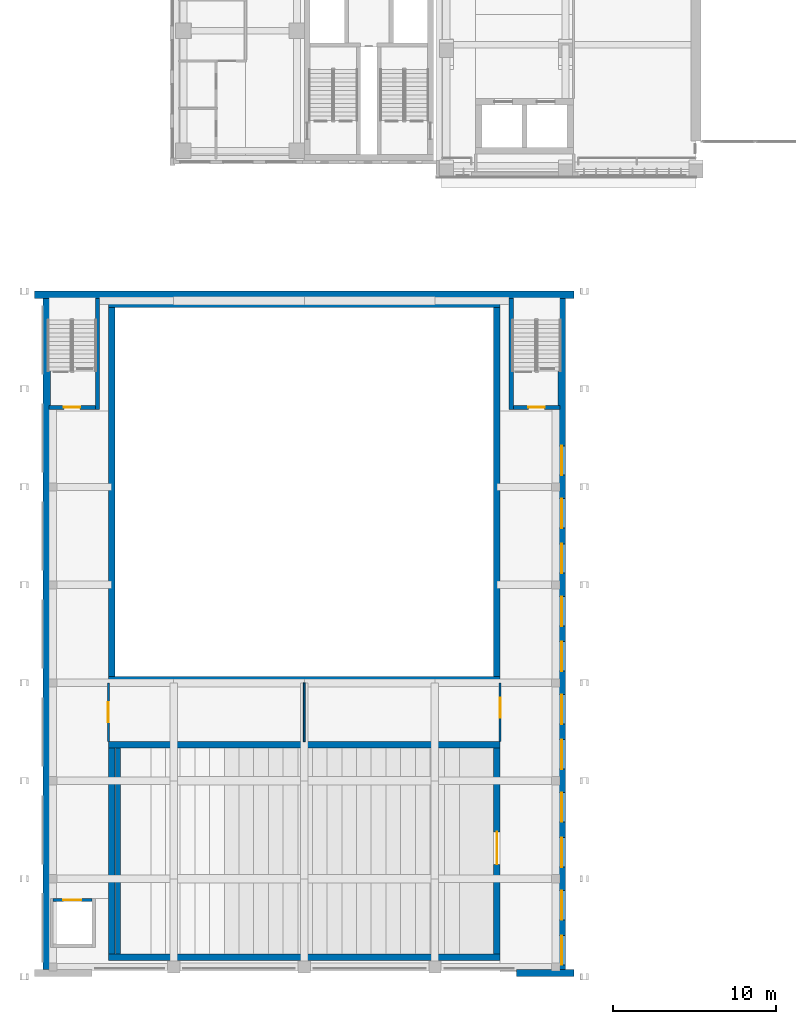
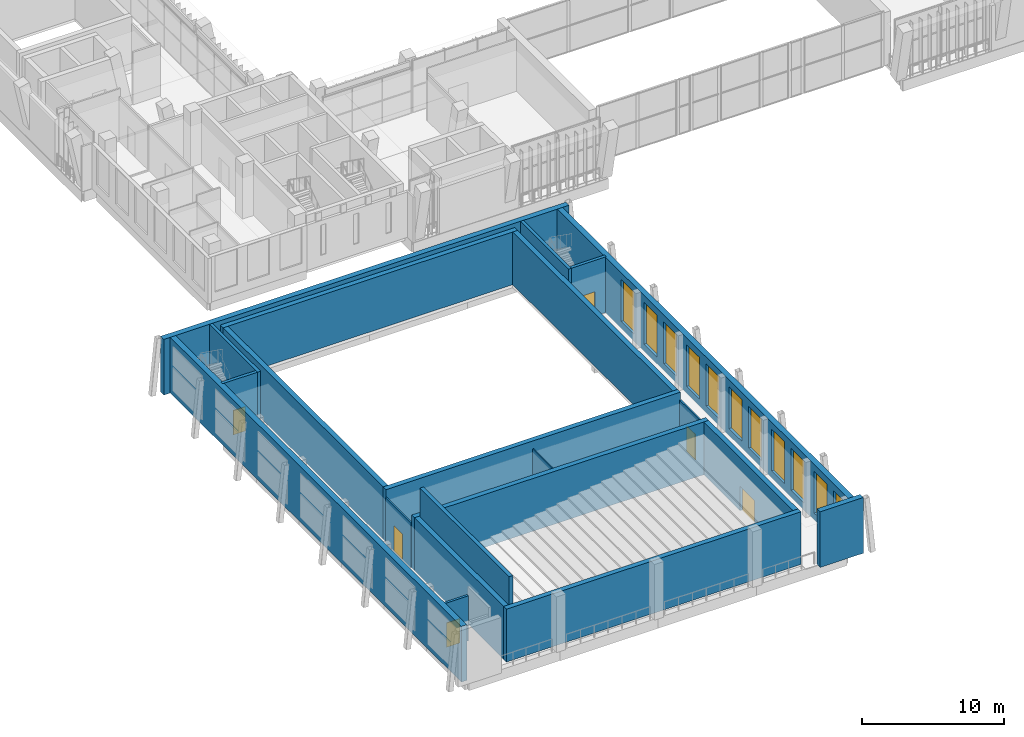
# One storey, part 58 of 92: 21 walls, 11 windows, 6 doors, 17 openings.
"""IFC4 building model written with IfcOpenShell, lengths in metres."""

from ifc_helpers import new_model, si_unit, direction, frame, frame_2d, origin, place, context, subcontext, project, spatial, rectangle, extrude, material, layer, layer_set, type_object, element, fill, save


model = new_model("IFC4")

# Units and contexts
model_context = context("Model", 3, precision=1e-05, world=origin(), true_north=direction((0.0, 1.0)))
body_context = subcontext(model_context, "Body", "Model", "MODEL_VIEW")
ifc_project = project(units=[si_unit("LENGTHUNIT", "METRE"), si_unit("AREAUNIT", "SQUARE_METRE"), si_unit("VOLUMEUNIT", "CUBIC_METRE"), si_unit("PLANEANGLEUNIT", "RADIAN"), si_unit("MASSUNIT", "GRAM", prefix="KILO")], contexts=[model_context])

# Site, building, storey
site_placement = place(None, origin())
site = spatial("IfcSite", under=ifc_project, at=site_placement, CompositionType="ELEMENT")
building_placement = place(site_placement, origin())
building = spatial("IfcBuilding", under=site, at=building_placement, Name="Lantern Court Media Centre", CompositionType="ELEMENT")
storey_placement = place(building_placement, frame((0.0, 0.0, 4.800048828125)))
storey = spatial("IfcBuildingStorey", under=building, at=storey_placement, Name="L01", CompositionType="ELEMENT", Elevation=4.800048828125)

# Wall, opening, door
ifc_material_1 = material(Name="Gypsum board partition")
ifc_layer_1 = layer(ifc_material_1, 0.125)
ifc_layer_set_1 = layer_set([ifc_layer_1], Name="Gypsum board partition")
wall_type_1 = type_object("IfcWallType", Name="Corridor partition 125", PredefinedType="PARTITIONING", material=ifc_layer_set_1)
wall_1_placement = place(storey_placement, frame((4.0, 12.39990234375, 0.0), z_axis=(0.0, 0.0, 1.0), x_axis=(0.0, 1.0, 0.0)))
wall_1 = element("IfcWall", 1, at=wall_1_placement, inside=storey, type_object=wall_type_1, Name="L01 partition 062", PredefinedType="PARTITIONING", context=body_context, shape_type="SweptSolid", body=[
    extrude(rectangle(XDim=3.60009765625, YDim=0.125, at=frame_2d((1.800048828125, 0.0))), origin(), (0.0, 0.0, 1.0), 3.8798828125),
])
opening_1_placement = place(wall_1_placement, frame((1.199951171875, 0.0, 0.0)))
opening_1 = element("IfcOpeningElement", 2, at=opening_1_placement, cuts=wall_1, Name="Opening L01-038", PredefinedType="OPENING", context=body_context, shape_type="SweptSolid", body=[
    extrude(rectangle(XDim=1.199951171875, YDim=2.199951171875, at=frame_2d((0.60009765625, 1.10009765625))), frame((0.0, 0.072509765625, 0.0), z_axis=(0.0, -1.0, 0.0), x_axis=(1.0, 0.0, 0.0)), (0.0, 0.0, 1.0), 0.14501953125),
])
ifc_material_2 = material(Name="Solid-core timber door leaf", Category="wood")
door_type_1 = type_object("IfcDoorType", Name="Single door 1200x2200", OperationType="NOTDEFINED", PredefinedType="DOOR", material=ifc_material_2)
door_1_placement = place(opening_1_placement, frame((1.199951171875, 0.0, 0.0), z_axis=(0.0, 0.0, 1.0), x_axis=(-1.0, 0.0, 0.0)))
door_1 = element("IfcDoor", 3, at=door_1_placement, inside=storey, type_object=door_type_1, Name="L01 Projection Room Screen 1 door", OperationType="SINGLE_SWING_LEFT", OverallHeight=2.199951171875, OverallWidth=1.199951171875, PredefinedType="DOOR", context=body_context, shape_type="SweptSolid", body=[
    extrude(rectangle(XDim=1.199951171875, YDim=2.199951171875, at=frame_2d((0.60009765625, 1.10009765625))), frame((0.0, 0.02490234375, 0.0), z_axis=(0.0, -1.0, 0.0), x_axis=(1.0, 0.0, 0.0)), (0.0, 0.0, 1.0), 0.050048828125),
])
fill(opening_1, door_1)

wall_2_placement = place(storey_placement, frame((28.0, 12.39990234375, 0.0), z_axis=(0.0, 0.0, 1.0), x_axis=(0.0, 1.0, 0.0)))
wall_2 = element("IfcWall", 4, at=wall_2_placement, inside=storey, type_object=wall_type_1, Name="L01 partition 063", PredefinedType="PARTITIONING", context=body_context, shape_type="SweptSolid", body=[
    extrude(rectangle(XDim=3.60009765625, YDim=0.125, at=frame_2d((1.800048828125, 0.0))), origin(), (0.0, 0.0, 1.0), 3.8798828125),
])
opening_2_placement = place(wall_2_placement, frame((1.47509765625, 0.0, 0.0)))
opening_2 = element("IfcOpeningElement", 5, at=opening_2_placement, cuts=wall_2, Name="Opening L01-039", PredefinedType="OPENING", context=body_context, shape_type="SweptSolid", body=[
    extrude(rectangle(XDim=1.199951171875, YDim=2.199951171875, at=frame_2d((0.60009765625, 1.10009765625))), frame((0.0, 0.072509765625, 0.0), z_axis=(0.0, -1.0, 0.0), x_axis=(1.0, 0.0, 0.0)), (0.0, 0.0, 1.0), 0.14501953125),
])
door_2_placement = place(opening_2_placement, origin())
door_2 = element("IfcDoor", 6, at=door_2_placement, inside=storey, type_object=door_type_1, Name="L01 Projection Room Screen 2 door", OperationType="SINGLE_SWING_RIGHT", OverallHeight=2.199951171875, OverallWidth=1.199951171875, PredefinedType="DOOR", context=body_context, shape_type="SweptSolid", body=[
    extrude(rectangle(XDim=1.199951171875, YDim=2.199951171875, at=frame_2d((0.60009765625, 1.10009765625))), frame((0.0, 0.02490234375, 0.0), z_axis=(0.0, -1.0, 0.0), x_axis=(1.0, 0.0, 0.0)), (0.0, 0.0, 1.0), 0.050048828125),
])
fill(opening_2, door_2)

# Wall
ifc_material_3 = material(Name="Limestone masonry, insulated", Category="masonry")
ifc_layer_2 = layer(ifc_material_3, 0.449951171875)
ifc_layer_set_2 = layer_set([ifc_layer_2], Name="Limestone masonry, insulated")
wall_type_2 = type_object("IfcWallType", Name="Hall wall, stone-faced masonry 450", PredefinedType="SOLIDWALL", material=ifc_layer_set_2)
wall_3_placement = place(storey_placement, frame((0.22509765625, -1.550048828125, 0.0), z_axis=(0.0, 0.0, 1.0), x_axis=(0.0, 1.0, 0.0)))
element("IfcWall", 7, at=wall_3_placement, inside=storey, type_object=wall_type_2, Name="Cinema Hall street wall L01", PredefinedType="SOLIDWALL", context=body_context, shape_type="SweptSolid", body=[
    extrude(rectangle(XDim=41.10009765625, YDim=0.449951171875, at=frame_2d((20.550048828125, 0.0))), origin(), (0.0, 0.0, 1.0), 4.800048828125),
])

# Wall, openings, windows
wall_4_placement = place(storey_placement, frame((31.77490234375, -1.550048828125, 0.0), z_axis=(0.0, 0.0, 1.0), x_axis=(0.0, 1.0, 0.0)))
wall_4 = element("IfcWall", 8, at=wall_4_placement, inside=storey, type_object=wall_type_2, Name="Cinema Hall forecourt wall L01", PredefinedType="SOLIDWALL", context=body_context, shape_type="SweptSolid", body=[
    extrude(rectangle(XDim=41.10009765625, YDim=0.449951171875, at=frame_2d((20.550048828125, 0.0))), origin(), (0.0, 0.0, 1.0), 4.800048828125),
])
opening_3_placement = place(wall_4_placement, frame((0.27001953125, 0.0, 0.60009765625)))
opening_3 = element("IfcOpeningElement", 9, at=opening_3_placement, cuts=wall_4, Name="Opening HWN1", PredefinedType="OPENING", context=body_context, shape_type="SweptSolid", body=[
    extrude(rectangle(XDim=1.800048828125, YDim=3.60009765625, at=frame_2d((0.89990234375, 1.800048828125))), frame((0.0, 0.23486328125, 0.0), z_axis=(0.0, -1.0, 0.0), x_axis=(1.0, 0.0, 0.0)), (0.0, 0.0, 1.0), 0.469970703125),
])
opening_4_placement = place(wall_4_placement, frame((3.030029296875, 0.0, 0.60009765625)))
opening_4 = element("IfcOpeningElement", 10, at=opening_4_placement, cuts=wall_4, Name="Opening HWN1", PredefinedType="OPENING", context=body_context, shape_type="SweptSolid", body=[
    extrude(rectangle(XDim=1.800048828125, YDim=3.60009765625, at=frame_2d((0.89990234375, 1.800048828125))), frame((0.0, 0.23486328125, 0.0), z_axis=(0.0, -1.0, 0.0), x_axis=(1.0, 0.0, 0.0)), (0.0, 0.0, 1.0), 0.469970703125),
])
opening_5_placement = place(wall_4_placement, frame((6.27001953125, 0.0, 0.60009765625)))
opening_5 = element("IfcOpeningElement", 11, at=opening_5_placement, cuts=wall_4, Name="Opening HWN1", PredefinedType="OPENING", context=body_context, shape_type="SweptSolid", body=[
    extrude(rectangle(XDim=1.800048828125, YDim=3.60009765625, at=frame_2d((0.89990234375, 1.800048828125))), frame((0.0, 0.23486328125, 0.0), z_axis=(0.0, -1.0, 0.0), x_axis=(1.0, 0.0, 0.0)), (0.0, 0.0, 1.0), 0.469970703125),
])
opening_6_placement = place(wall_4_placement, frame((9.030029296875, 0.0, 0.60009765625)))
opening_6 = element("IfcOpeningElement", 12, at=opening_6_placement, cuts=wall_4, Name="Opening HWN1", PredefinedType="OPENING", context=body_context, shape_type="SweptSolid", body=[
    extrude(rectangle(XDim=1.800048828125, YDim=3.60009765625, at=frame_2d((0.89990234375, 1.800048828125))), frame((0.0, 0.23486328125, 0.0), z_axis=(0.0, -1.0, 0.0), x_axis=(1.0, 0.0, 0.0)), (0.0, 0.0, 1.0), 0.469970703125),
])
opening_7_placement = place(wall_4_placement, frame((12.27001953125, 0.0, 0.60009765625)))
opening_7 = element("IfcOpeningElement", 13, at=opening_7_placement, cuts=wall_4, Name="Opening HWN1", PredefinedType="OPENING", context=body_context, shape_type="SweptSolid", body=[
    extrude(rectangle(XDim=1.800048828125, YDim=3.60009765625, at=frame_2d((0.89990234375, 1.800048828125))), frame((0.0, 0.23486328125, 0.0), z_axis=(0.0, -1.0, 0.0), x_axis=(1.0, 0.0, 0.0)), (0.0, 0.0, 1.0), 0.469970703125),
])
opening_8_placement = place(wall_4_placement, frame((15.030029296875, 0.0, 0.60009765625)))
opening_8 = element("IfcOpeningElement", 14, at=opening_8_placement, cuts=wall_4, Name="Opening HWN1", PredefinedType="OPENING", context=body_context, shape_type="SweptSolid", body=[
    extrude(rectangle(XDim=1.800048828125, YDim=3.60009765625, at=frame_2d((0.89990234375, 1.800048828125))), frame((0.0, 0.23486328125, 0.0), z_axis=(0.0, -1.0, 0.0), x_axis=(1.0, 0.0, 0.0)), (0.0, 0.0, 1.0), 0.469970703125),
])
opening_9_placement = place(wall_4_placement, frame((18.27001953125, 0.0, 0.60009765625)))
opening_9 = element("IfcOpeningElement", 15, at=opening_9_placement, cuts=wall_4, Name="Opening HWN1", PredefinedType="OPENING", context=body_context, shape_type="SweptSolid", body=[
    extrude(rectangle(XDim=1.800048828125, YDim=3.60009765625, at=frame_2d((0.89990234375, 1.800048828125))), frame((0.0, 0.23486328125, 0.0), z_axis=(0.0, -1.0, 0.0), x_axis=(1.0, 0.0, 0.0)), (0.0, 0.0, 1.0), 0.469970703125),
])
opening_10_placement = place(wall_4_placement, frame((21.030029296875, 0.0, 0.60009765625)))
opening_10 = element("IfcOpeningElement", 16, at=opening_10_placement, cuts=wall_4, Name="Opening HWN1", PredefinedType="OPENING", context=body_context, shape_type="SweptSolid", body=[
    extrude(rectangle(XDim=1.800048828125, YDim=3.60009765625, at=frame_2d((0.89990234375, 1.800048828125))), frame((0.0, 0.23486328125, 0.0), z_axis=(0.0, -1.0, 0.0), x_axis=(1.0, 0.0, 0.0)), (0.0, 0.0, 1.0), 0.469970703125),
])
opening_11_placement = place(wall_4_placement, frame((24.27001953125, 0.0, 0.60009765625)))
opening_11 = element("IfcOpeningElement", 17, at=opening_11_placement, cuts=wall_4, Name="Opening HWN1", PredefinedType="OPENING", context=body_context, shape_type="SweptSolid", body=[
    extrude(rectangle(XDim=1.800048828125, YDim=3.60009765625, at=frame_2d((0.89990234375, 1.800048828125))), frame((0.0, 0.23486328125, 0.0), z_axis=(0.0, -1.0, 0.0), x_axis=(1.0, 0.0, 0.0)), (0.0, 0.0, 1.0), 0.469970703125),
])
opening_12_placement = place(wall_4_placement, frame((27.030029296875, 0.0, 0.60009765625)))
opening_12 = element("IfcOpeningElement", 18, at=opening_12_placement, cuts=wall_4, Name="Opening HWN1", PredefinedType="OPENING", context=body_context, shape_type="SweptSolid", body=[
    extrude(rectangle(XDim=1.800048828125, YDim=3.60009765625, at=frame_2d((0.89990234375, 1.800048828125))), frame((0.0, 0.23486328125, 0.0), z_axis=(0.0, -1.0, 0.0), x_axis=(1.0, 0.0, 0.0)), (0.0, 0.0, 1.0), 0.469970703125),
])
opening_13_placement = place(wall_4_placement, frame((30.27001953125, 0.0, 0.60009765625)))
opening_13 = element("IfcOpeningElement", 19, at=opening_13_placement, cuts=wall_4, Name="Opening HWN1", PredefinedType="OPENING", context=body_context, shape_type="SweptSolid", body=[
    extrude(rectangle(XDim=1.800048828125, YDim=3.60009765625, at=frame_2d((0.89990234375, 1.800048828125))), frame((0.0, 0.23486328125, 0.0), z_axis=(0.0, -1.0, 0.0), x_axis=(1.0, 0.0, 0.0)), (0.0, 0.0, 1.0), 0.469970703125),
])
ifc_material_4 = material(Name="Aluminium and glass", Category="aluminium")
window_type = type_object("IfcWindowType", Name="Hall lancet window 1800 x 3600", PartitioningType="DOUBLE_PANEL_VERTICAL", PredefinedType="WINDOW", material=ifc_material_4)
window_1_placement = place(opening_3_placement, origin())
window_1 = element("IfcWindow", 20, at=window_1_placement, inside=storey, type_object=window_type, Name="Cinema Hall foyer window 1", OverallHeight=3.60009765625, OverallWidth=1.800048828125, PartitioningType="SINGLE_PANEL", PredefinedType="WINDOW", context=body_context, shape_type="SweptSolid", body=[
    extrude(rectangle(XDim=1.800048828125, YDim=3.60009765625, at=frame_2d((0.89990234375, 1.800048828125))), frame((0.0, 0.030029296875, 0.0), z_axis=(0.0, -1.0, 0.0), x_axis=(1.0, 0.0, 0.0)), (0.0, 0.0, 1.0), 0.06005859375),
])
fill(opening_3, window_1)
window_2_placement = place(opening_4_placement, origin())
window_2 = element("IfcWindow", 21, at=window_2_placement, inside=storey, type_object=window_type, Name="Cinema Hall foyer window 1", OverallHeight=3.60009765625, OverallWidth=1.800048828125, PartitioningType="SINGLE_PANEL", PredefinedType="WINDOW", context=body_context, shape_type="SweptSolid", body=[
    extrude(rectangle(XDim=1.800048828125, YDim=3.60009765625, at=frame_2d((0.89990234375, 1.800048828125))), frame((0.0, 0.030029296875, 0.0), z_axis=(0.0, -1.0, 0.0), x_axis=(1.0, 0.0, 0.0)), (0.0, 0.0, 1.0), 0.06005859375),
])
fill(opening_4, window_2)
window_3_placement = place(opening_5_placement, origin())
window_3 = element("IfcWindow", 22, at=window_3_placement, inside=storey, type_object=window_type, Name="Cinema Hall foyer window 2", OverallHeight=3.60009765625, OverallWidth=1.800048828125, PartitioningType="SINGLE_PANEL", PredefinedType="WINDOW", context=body_context, shape_type="SweptSolid", body=[
    extrude(rectangle(XDim=1.800048828125, YDim=3.60009765625, at=frame_2d((0.89990234375, 1.800048828125))), frame((0.0, 0.030029296875, 0.0), z_axis=(0.0, -1.0, 0.0), x_axis=(1.0, 0.0, 0.0)), (0.0, 0.0, 1.0), 0.06005859375),
])
fill(opening_5, window_3)
window_4_placement = place(opening_6_placement, origin())
window_4 = element("IfcWindow", 23, at=window_4_placement, inside=storey, type_object=window_type, Name="Cinema Hall foyer window 2", OverallHeight=3.60009765625, OverallWidth=1.800048828125, PartitioningType="SINGLE_PANEL", PredefinedType="WINDOW", context=body_context, shape_type="SweptSolid", body=[
    extrude(rectangle(XDim=1.800048828125, YDim=3.60009765625, at=frame_2d((0.89990234375, 1.800048828125))), frame((0.0, 0.030029296875, 0.0), z_axis=(0.0, -1.0, 0.0), x_axis=(1.0, 0.0, 0.0)), (0.0, 0.0, 1.0), 0.06005859375),
])
fill(opening_6, window_4)
window_5_placement = place(opening_7_placement, origin())
window_5 = element("IfcWindow", 24, at=window_5_placement, inside=storey, type_object=window_type, Name="Cinema Hall foyer window 3", OverallHeight=3.60009765625, OverallWidth=1.800048828125, PartitioningType="SINGLE_PANEL", PredefinedType="WINDOW", context=body_context, shape_type="SweptSolid", body=[
    extrude(rectangle(XDim=1.800048828125, YDim=3.60009765625, at=frame_2d((0.89990234375, 1.800048828125))), frame((0.0, 0.030029296875, 0.0), z_axis=(0.0, -1.0, 0.0), x_axis=(1.0, 0.0, 0.0)), (0.0, 0.0, 1.0), 0.06005859375),
])
fill(opening_7, window_5)
window_6_placement = place(opening_8_placement, origin())
window_6 = element("IfcWindow", 25, at=window_6_placement, inside=storey, type_object=window_type, Name="Cinema Hall foyer window 3", OverallHeight=3.60009765625, OverallWidth=1.800048828125, PartitioningType="SINGLE_PANEL", PredefinedType="WINDOW", context=body_context, shape_type="SweptSolid", body=[
    extrude(rectangle(XDim=1.800048828125, YDim=3.60009765625, at=frame_2d((0.89990234375, 1.800048828125))), frame((0.0, 0.030029296875, 0.0), z_axis=(0.0, -1.0, 0.0), x_axis=(1.0, 0.0, 0.0)), (0.0, 0.0, 1.0), 0.06005859375),
])
fill(opening_8, window_6)
window_7_placement = place(opening_9_placement, origin())
window_7 = element("IfcWindow", 26, at=window_7_placement, inside=storey, type_object=window_type, Name="Cinema Hall foyer window 4", OverallHeight=3.60009765625, OverallWidth=1.800048828125, PartitioningType="SINGLE_PANEL", PredefinedType="WINDOW", context=body_context, shape_type="SweptSolid", body=[
    extrude(rectangle(XDim=1.800048828125, YDim=3.60009765625, at=frame_2d((0.89990234375, 1.800048828125))), frame((0.0, 0.030029296875, 0.0), z_axis=(0.0, -1.0, 0.0), x_axis=(1.0, 0.0, 0.0)), (0.0, 0.0, 1.0), 0.06005859375),
])
fill(opening_9, window_7)
window_8_placement = place(opening_10_placement, origin())
window_8 = element("IfcWindow", 27, at=window_8_placement, inside=storey, type_object=window_type, Name="Cinema Hall foyer window 4", OverallHeight=3.60009765625, OverallWidth=1.800048828125, PartitioningType="SINGLE_PANEL", PredefinedType="WINDOW", context=body_context, shape_type="SweptSolid", body=[
    extrude(rectangle(XDim=1.800048828125, YDim=3.60009765625, at=frame_2d((0.89990234375, 1.800048828125))), frame((0.0, 0.030029296875, 0.0), z_axis=(0.0, -1.0, 0.0), x_axis=(1.0, 0.0, 0.0)), (0.0, 0.0, 1.0), 0.06005859375),
])
fill(opening_10, window_8)
window_9_placement = place(opening_11_placement, origin())
window_9 = element("IfcWindow", 28, at=window_9_placement, inside=storey, type_object=window_type, Name="Cinema Hall foyer window 5", OverallHeight=3.60009765625, OverallWidth=1.800048828125, PartitioningType="SINGLE_PANEL", PredefinedType="WINDOW", context=body_context, shape_type="SweptSolid", body=[
    extrude(rectangle(XDim=1.800048828125, YDim=3.60009765625, at=frame_2d((0.89990234375, 1.800048828125))), frame((0.0, 0.030029296875, 0.0), z_axis=(0.0, -1.0, 0.0), x_axis=(1.0, 0.0, 0.0)), (0.0, 0.0, 1.0), 0.06005859375),
])
fill(opening_11, window_9)
window_10_placement = place(opening_12_placement, origin())
window_10 = element("IfcWindow", 29, at=window_10_placement, inside=storey, type_object=window_type, Name="Cinema Hall foyer window 5", OverallHeight=3.60009765625, OverallWidth=1.800048828125, PartitioningType="SINGLE_PANEL", PredefinedType="WINDOW", context=body_context, shape_type="SweptSolid", body=[
    extrude(rectangle(XDim=1.800048828125, YDim=3.60009765625, at=frame_2d((0.89990234375, 1.800048828125))), frame((0.0, 0.030029296875, 0.0), z_axis=(0.0, -1.0, 0.0), x_axis=(1.0, 0.0, 0.0)), (0.0, 0.0, 1.0), 0.06005859375),
])
fill(opening_12, window_10)
window_11_placement = place(opening_13_placement, origin())
window_11 = element("IfcWindow", 30, at=window_11_placement, inside=storey, type_object=window_type, Name="Cinema Hall foyer window 6", OverallHeight=3.60009765625, OverallWidth=1.800048828125, PartitioningType="SINGLE_PANEL", PredefinedType="WINDOW", context=body_context, shape_type="SweptSolid", body=[
    extrude(rectangle(XDim=1.800048828125, YDim=3.60009765625, at=frame_2d((0.89990234375, 1.800048828125))), frame((0.0, 0.030029296875, 0.0), z_axis=(0.0, -1.0, 0.0), x_axis=(1.0, 0.0, 0.0)), (0.0, 0.0, 1.0), 0.06005859375),
])
fill(opening_13, window_11)

# Walls
wall_5_placement = place(storey_placement, frame((29.0, -1.77490234375, 0.0), z_axis=(0.0, 0.0, 1.0), x_axis=(1.0, 0.0, 0.0)))
element("IfcWall", 31, at=wall_5_placement, inside=storey, type_object=wall_type_2, Name="Cinema Hall south gable L01", PredefinedType="SOLIDWALL", context=body_context, shape_type="SweptSolid", body=[
    extrude(rectangle(XDim=3.527099609375, YDim=0.449951171875, at=frame_2d((1.763671875, 0.0))), origin(), (0.0, 0.0, 1.0), 4.800048828125),
])
wall_6_placement = place(storey_placement, frame((-0.527099609375, 39.77490234375, 0.0), z_axis=(0.0, 0.0, 1.0), x_axis=(1.0, 0.0, 0.0)))
element("IfcWall", 32, at=wall_6_placement, inside=storey, type_object=wall_type_2, Name="Cinema Hall north gable L01", PredefinedType="SOLIDWALL", context=body_context, shape_type="SweptSolid", body=[
    extrude(rectangle(XDim=33.05419921875, YDim=0.449951171875, at=frame_2d((16.527099609375, 0.0))), origin(), (0.0, 0.0, 1.0), 4.800048828125),
])
ifc_layer_3 = layer(ifc_material_1, 0.10009765625)
ifc_layer_set_3 = layer_set([ifc_layer_3], Name="Gypsum board partition")
wall_type_3 = type_object("IfcWallType", Name="Partition 100", PredefinedType="PARTITIONING", material=ifc_layer_set_3)
wall_7_placement = place(storey_placement, frame((16.0, 12.39990234375, 0.0), z_axis=(0.0, 0.0, 1.0), x_axis=(0.0, 1.0, 0.0)))
element("IfcWall", 33, at=wall_7_placement, inside=storey, type_object=wall_type_3, Name="L01 partition 064", PredefinedType="PARTITIONING", context=body_context, shape_type="SweptSolid", body=[
    extrude(rectangle(XDim=3.60009765625, YDim=0.10009765625, at=frame_2d((1.800048828125, 0.0))), origin(), (0.0, 0.0, 1.0), 3.8798828125),
])
ifc_material_5 = material(Name="Concrete C40", Category="concrete")
ifc_layer_4 = layer(ifc_material_5, 0.39990234375)
ifc_layer_set_4 = layer_set([ifc_layer_4], Name="Concrete C40")
wall_type_4 = type_object("IfcWallType", Name="RC SHEAR WALL 400", PredefinedType="SHEAR", material=ifc_layer_set_4)
for number, where, z_axis, x_axis, name in (
    (34, (4.0, 16.199951171875, 0.0), (0.0, 0.0, 1.0), (1.0, 0.0, 0.0), "WB-V1-SC1-L01-S"),
    (35, (4.0, 39.199951171875, 0.0), (0.0, 0.0, 1.0), (1.0, 0.0, 0.0), "WB-V1-SC1-L01-N"),
):
    element("IfcWall", number, at=place(storey_placement, frame(where, z_axis=z_axis, x_axis=x_axis)), inside=storey, type_object=wall_type_4, Name=name, PredefinedType="SHEAR", context=body_context, shape_type="SweptSolid", body=[
        extrude(rectangle(XDim=24.0, YDim=0.39990234375, at=frame_2d((12.0, 0.0))), origin(), (0.0, 0.0, 1.0), 4.550048828125),
    ])
for number, where, z_axis, x_axis, name in (
    (36, (4.199951171875, 16.39990234375, 0.0), (0.0, 0.0, 1.0), (0.0, 1.0, 0.0), "WB-V1-SC1-L01-W"),
    (37, (27.800048828125, 16.39990234375, 0.0), (0.0, 0.0, 1.0), (0.0, 1.0, 0.0), "WB-V1-SC1-L01-E"),
):
    element("IfcWall", number, at=place(storey_placement, frame(where, z_axis=z_axis, x_axis=x_axis)), inside=storey, type_object=wall_type_4, Name=name, PredefinedType="SHEAR", context=body_context, shape_type="SweptSolid", body=[
        extrude(rectangle(XDim=22.60009765625, YDim=0.39990234375, at=frame_2d((11.300048828125, 0.0))), origin(), (0.0, 0.0, 1.0), 4.550048828125),
    ])
for number, where, z_axis, x_axis, name in (
    (38, (4.0, -0.800048828125, 0.0), (0.0, 0.0, 1.0), (1.0, 0.0, 0.0), "WB-V1-SC2-L01-S"),
    (39, (4.0, 12.199951171875, 0.0), (0.0, 0.0, 1.0), (1.0, 0.0, 0.0), "WB-V1-SC2-L01-N"),
):
    element("IfcWall", number, at=place(storey_placement, frame(where, z_axis=z_axis, x_axis=x_axis)), inside=storey, type_object=wall_type_4, Name=name, PredefinedType="SHEAR", context=body_context, shape_type="SweptSolid", body=[
        extrude(rectangle(XDim=24.0, YDim=0.39990234375, at=frame_2d((12.0, 0.0))), origin(), (0.0, 0.0, 1.0), 4.550048828125),
    ])
wall_8_placement = place(storey_placement, frame((4.199951171875, -0.60009765625, 0.0), z_axis=(0.0, 0.0, 1.0), x_axis=(0.0, 1.0, 0.0)))
element("IfcWall", 40, at=wall_8_placement, inside=storey, type_object=wall_type_4, Name="WB-V1-SC2-L01-W", PredefinedType="SHEAR", context=body_context, shape_type="SweptSolid", body=[
    extrude(rectangle(XDim=12.60009765625, YDim=0.39990234375, at=frame_2d((6.300048828125, 0.0))), origin(), (0.0, 0.0, 1.0), 4.550048828125),
])

# Wall, opening, door
wall_9_placement = place(storey_placement, frame((27.800048828125, -0.60009765625, 0.0), z_axis=(0.0, 0.0, 1.0), x_axis=(0.0, 1.0, 0.0)))
wall_9 = element("IfcWall", 41, at=wall_9_placement, inside=storey, type_object=wall_type_4, Name="WB-V1-SC2-L01-E", PredefinedType="SHEAR", context=body_context, shape_type="SweptSolid", body=[
    extrude(rectangle(XDim=12.60009765625, YDim=0.39990234375, at=frame_2d((6.300048828125, 0.0))), origin(), (0.0, 0.0, 1.0), 4.550048828125),
])
opening_14_placement = place(wall_9_placement, frame((5.4775390625, 0.0, 0.0)))
opening_14 = element("IfcOpeningElement", 42, at=opening_14_placement, cuts=wall_9, Name="Opening L01-037", PredefinedType="OPENING", context=body_context, shape_type="SweptSolid", body=[
    extrude(rectangle(XDim=2.0, YDim=2.10009765625, at=frame_2d((1.0, 1.050048828125))), frame((0.0, 0.2099609375, 0.0), z_axis=(0.0, -1.0, 0.0), x_axis=(1.0, 0.0, 0.0)), (0.0, 0.0, 1.0), 0.419921875),
])
door_type_2 = type_object("IfcDoorType", Name="Auditorium double door 2000x2100", OperationType="NOTDEFINED", PredefinedType="DOOR", material=ifc_material_2)
door_3_placement = place(opening_14_placement, frame((2.0, 0.0, 0.0), z_axis=(0.0, 0.0, 1.0), x_axis=(-1.0, 0.0, 0.0)))
door_3 = element("IfcDoor", 43, at=door_3_placement, inside=storey, type_object=door_type_2, Name="L01 Screen 2 Cinema door", OperationType="DOUBLE_DOOR_SINGLE_SWING", OverallHeight=2.10009765625, OverallWidth=2.0, PredefinedType="DOOR", context=body_context, shape_type="SweptSolid", body=[
    extrude(rectangle(XDim=2.0, YDim=2.10009765625, at=frame_2d((1.0, 1.050048828125))), frame((0.0, 0.02490234375, 0.0), z_axis=(0.0, -1.0, 0.0), x_axis=(1.0, 0.0, 0.0)), (0.0, 0.0, 1.0), 0.050048828125),
])
fill(opening_14, door_3)

ifc_layer_5 = layer(ifc_material_5, 0.199951171875)
ifc_layer_set_5 = layer_set([ifc_layer_5], Name="Concrete C40")
wall_type_5 = type_object("IfcWallType", Name="RC lift shaft wall 200", PredefinedType="SOLIDWALL", material=ifc_layer_set_5)
wall_10_placement = place(storey_placement, frame((0.60009765625, 2.699951171875, 0.0), z_axis=(0.0, 0.0, 1.0), x_axis=(1.0, 0.0, 0.0)))
wall_10 = element("IfcWall", 44, at=wall_10_placement, inside=storey, type_object=wall_type_5, Name="L01 V1-LIFT shaft wall N", PredefinedType="SOLIDWALL", context=body_context, shape_type="SweptSolid", body=[
    extrude(rectangle(XDim=2.39990234375, YDim=0.199951171875, at=frame_2d((1.199951171875, 0.0))), origin(), (0.0, 0.0, 1.0), 3.8798828125),
])
opening_15_placement = place(wall_10_placement, frame((0.64990234375, 0.0, 0.0)))
opening_15 = element("IfcOpeningElement", 45, at=opening_15_placement, cuts=wall_10, Name="Opening LD-V1-LIFT-L01", PredefinedType="OPENING", context=body_context, shape_type="SweptSolid", body=[
    extrude(rectangle(XDim=1.10009765625, YDim=2.10009765625, at=frame_2d((0.550048828125, 1.050048828125))), frame((0.0, 0.10986328125, 0.0), z_axis=(0.0, -1.0, 0.0), x_axis=(1.0, 0.0, 0.0)), (0.0, 0.0, 1.0), 0.219970703125),
])
ifc_material_6 = material(Name="Steel door leaf", Category="steel")
door_type_3 = type_object("IfcDoorType", Name="Lift landing door 1100x2100", OperationType="DOUBLE_DOOR_SLIDING", PredefinedType="DOOR", material=ifc_material_6)
door_4_placement = place(opening_15_placement, origin())
door_4 = element("IfcDoor", 46, at=door_4_placement, inside=storey, type_object=door_type_3, Name="L01 V1-LIFT lift landing door", OperationType="DOUBLE_DOOR_SLIDING", OverallHeight=2.10009765625, OverallWidth=1.10009765625, PredefinedType="DOOR", context=body_context, shape_type="SweptSolid", body=[
    extrude(rectangle(XDim=1.10009765625, YDim=2.10009765625, at=frame_2d((0.550048828125, 1.050048828125))), frame((0.0, 0.02490234375, 0.0), z_axis=(0.0, -1.0, 0.0), x_axis=(1.0, 0.0, 0.0)), (0.0, 0.0, 1.0), 0.050048828125),
])
fill(opening_15, door_4)

# Wall
ifc_layer_6 = layer(ifc_material_5, 0.25)
ifc_layer_set_6 = layer_set([ifc_layer_6], Name="Concrete C40")
wall_type_6 = type_object("IfcWallType", Name="RC stair shaft wall 250", PredefinedType="SOLIDWALL", material=ifc_layer_set_6)
wall_11_placement = place(storey_placement, frame((3.324951171875, 32.75, 0.0), z_axis=(0.0, 0.0, 1.0), x_axis=(0.0, 1.0, 0.0)))
element("IfcWall", 47, at=wall_11_placement, inside=storey, type_object=wall_type_6, Name="L01 V1-ST-W shaft wall E", PredefinedType="SOLIDWALL", context=body_context, shape_type="SweptSolid", body=[
    extrude(rectangle(XDim=6.800048828125, YDim=0.25, at=frame_2d((3.39990234375, 0.0))), origin(), (0.0, 0.0, 1.0), 4.800048828125),
])

# Wall, opening, door
wall_12_placement = place(storey_placement, frame((0.35009765625, 32.875, 0.0), z_axis=(0.0, 0.0, 1.0), x_axis=(1.0, 0.0, 0.0)))
wall_12 = element("IfcWall", 48, at=wall_12_placement, inside=storey, type_object=wall_type_6, Name="L01 V1-ST-W shaft wall S", PredefinedType="SOLIDWALL", context=body_context, shape_type="SweptSolid", body=[
    extrude(rectangle(XDim=2.849853515625, YDim=0.25, at=frame_2d((1.4248046875, 0.0))), origin(), (0.0, 0.0, 1.0), 4.800048828125),
])
opening_16_placement = place(wall_12_placement, frame((0.925048828125, 0.0, 0.0)))
opening_16 = element("IfcOpeningElement", 49, at=opening_16_placement, cuts=wall_12, Name="Opening V1-ST-W-L01-01", PredefinedType="OPENING", context=body_context, shape_type="SweptSolid", body=[
    extrude(rectangle(XDim=1.0, YDim=2.10009765625, at=frame_2d((0.5, 1.050048828125))), frame((0.0, 0.135009765625, 0.0), z_axis=(0.0, -1.0, 0.0), x_axis=(1.0, 0.0, 0.0)), (0.0, 0.0, 1.0), 0.27001953125),
])
door_type_4 = type_object("IfcDoorType", Name="Stair door 1000x2100", OperationType="NOTDEFINED", PredefinedType="DOOR", material=ifc_material_6)
door_5_placement = place(opening_16_placement, frame((1.0, 0.0, 0.0), z_axis=(0.0, 0.0, 1.0), x_axis=(-1.0, 0.0, 0.0)))
door_5 = element("IfcDoor", 50, at=door_5_placement, inside=storey, type_object=door_type_4, Name="L01 V1-ST-W stair door", OperationType="SINGLE_SWING_LEFT", OverallHeight=2.10009765625, OverallWidth=1.0, PredefinedType="DOOR", context=body_context, shape_type="SweptSolid", body=[
    extrude(rectangle(XDim=1.0, YDim=2.10009765625, at=frame_2d((0.5, 1.050048828125))), frame((0.0, 0.02490234375, 0.0), z_axis=(0.0, -1.0, 0.0), x_axis=(1.0, 0.0, 0.0)), (0.0, 0.0, 1.0), 0.050048828125),
])
fill(opening_16, door_5)

# Wall
wall_13_placement = place(storey_placement, frame((28.675048828125, 32.75, 0.0), z_axis=(0.0, 0.0, 1.0), x_axis=(0.0, 1.0, 0.0)))
element("IfcWall", 51, at=wall_13_placement, inside=storey, type_object=wall_type_6, Name="L01 V1-ST-E shaft wall W", PredefinedType="SOLIDWALL", context=body_context, shape_type="SweptSolid", body=[
    extrude(rectangle(XDim=6.800048828125, YDim=0.25, at=frame_2d((3.39990234375, 0.0))), origin(), (0.0, 0.0, 1.0), 4.800048828125),
])

# Wall, opening, door
wall_14_placement = place(storey_placement, frame((28.800048828125, 32.875, 0.0), z_axis=(0.0, 0.0, 1.0), x_axis=(1.0, 0.0, 0.0)))
wall_14 = element("IfcWall", 52, at=wall_14_placement, inside=storey, type_object=wall_type_6, Name="L01 V1-ST-E shaft wall S", PredefinedType="SOLIDWALL", context=body_context, shape_type="SweptSolid", body=[
    extrude(rectangle(XDim=2.849853515625, YDim=0.25, at=frame_2d((1.4248046875, 0.0))), origin(), (0.0, 0.0, 1.0), 4.800048828125),
])
opening_17_placement = place(wall_14_placement, frame((0.925048828125, 0.0, 0.0)))
opening_17 = element("IfcOpeningElement", 53, at=opening_17_placement, cuts=wall_14, Name="Opening V1-ST-E-L01-01", PredefinedType="OPENING", context=body_context, shape_type="SweptSolid", body=[
    extrude(rectangle(XDim=1.0, YDim=2.10009765625, at=frame_2d((0.5, 1.050048828125))), frame((0.0, 0.135009765625, 0.0), z_axis=(0.0, -1.0, 0.0), x_axis=(1.0, 0.0, 0.0)), (0.0, 0.0, 1.0), 0.27001953125),
])
door_6_placement = place(opening_17_placement, frame((1.0, 0.0, 0.0), z_axis=(0.0, 0.0, 1.0), x_axis=(-1.0, 0.0, 0.0)))
door_6 = element("IfcDoor", 54, at=door_6_placement, inside=storey, type_object=door_type_4, Name="L01 V1-ST-E stair door", OperationType="SINGLE_SWING_LEFT", OverallHeight=2.10009765625, OverallWidth=1.0, PredefinedType="DOOR", context=body_context, shape_type="SweptSolid", body=[
    extrude(rectangle(XDim=1.0, YDim=2.10009765625, at=frame_2d((0.5, 1.050048828125))), frame((0.0, 0.02490234375, 0.0), z_axis=(0.0, -1.0, 0.0), x_axis=(1.0, 0.0, 0.0)), (0.0, 0.0, 1.0), 0.050048828125),
])
fill(opening_17, door_6)

# Wall
ifc_material_7 = material(Name="Acoustic gypsum board")
ifc_layer_7 = layer(ifc_material_7, 0.300048828125)
ifc_layer_set_7 = layer_set([ifc_layer_7], Name="Acoustic gypsum board")
wall_type_7 = type_object("IfcWallType", Name="Screen wall 300", PredefinedType="PARTITIONING", material=ifc_layer_set_7)
wall_15_placement = place(storey_placement, frame((4.60009765625, -0.60009765625, 0.0), z_axis=(0.0, 0.0, 1.0), x_axis=(0.0, 1.0, 0.0)))
element("IfcWall", 55, at=wall_15_placement, inside=storey, type_object=wall_type_7, Name="Screen 2 Cinema screen wall", PredefinedType="PARTITIONING", context=body_context, shape_type="SweptSolid", body=[
    extrude(rectangle(XDim=12.60009765625, YDim=0.300048828125, at=frame_2d((6.300048828125, 0.0))), origin(), (0.0, 0.0, 1.0), 6.949951171875),
])

save(model, "model.ifc")
